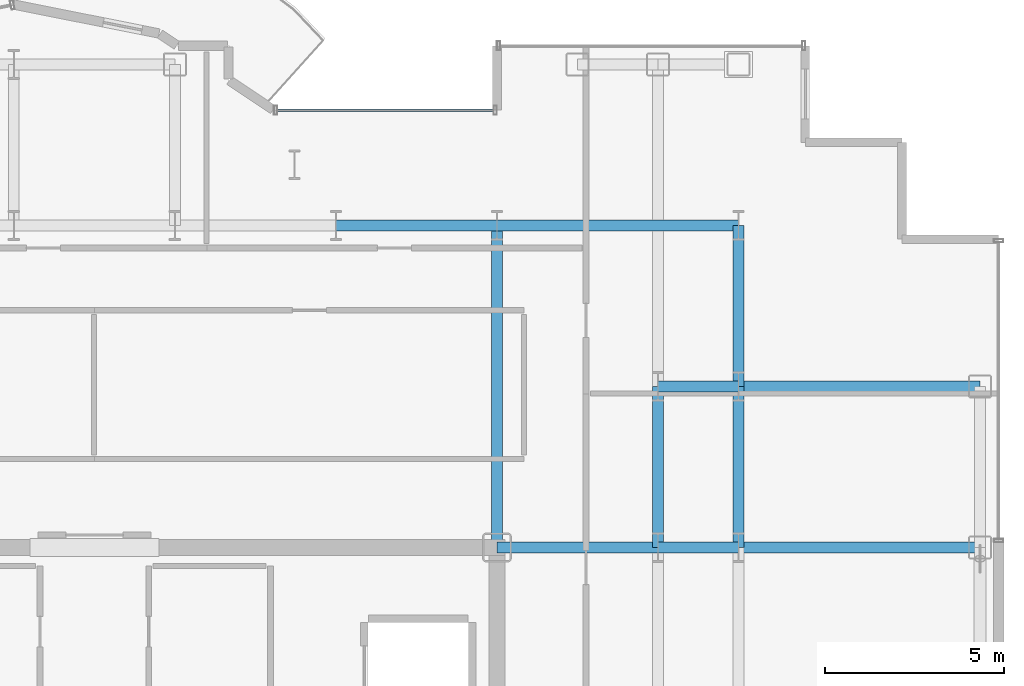
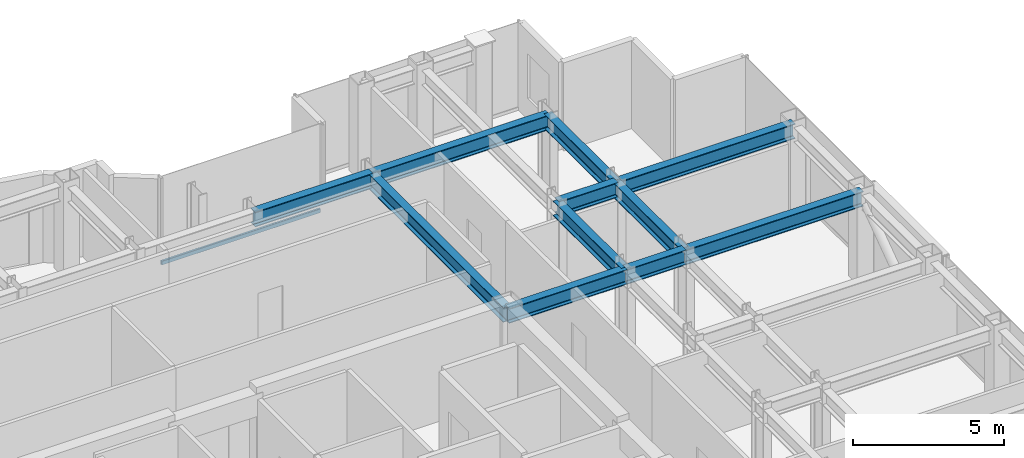
# One storey, part 12 of 22: 11 beams, 1 member, 1 element without a shape of its own.
"""IFC4 building model written with IfcOpenShell, lengths in metres."""

from ifc_helpers import new_model, si_unit, direction, frame, origin, origin_2d, place, context, subcontext, project, spatial, hollow_rectangle, i_section, extrude, source, transform, mapped, material, layer, layer_set, material_profile, profile_set, type_object, element, aggregate, save


model = new_model("IFC4")

# Units and contexts
model_context = context("Model", 3, precision=1e-05, world=origin(), true_north=direction((0.0, 1.0)))
body_context = subcontext(model_context, "Body", "Model", "MODEL_VIEW")
ifc_project = project(units=[si_unit("LENGTHUNIT", "METRE"), si_unit("AREAUNIT", "SQUARE_METRE"), si_unit("VOLUMEUNIT", "CUBIC_METRE"), si_unit("PLANEANGLEUNIT", "RADIAN"), si_unit("MASSUNIT", "GRAM", prefix="KILO")], contexts=[model_context])

# Site, building, storey
site_placement = place(None, origin())
site = spatial("IfcSite", under=ifc_project, at=site_placement, CompositionType="ELEMENT")
building_placement = place(site_placement, origin())
building = spatial("IfcBuilding", under=site, at=building_placement, Name="Nefas-Gora Pilgrimage Tower", CompositionType="ELEMENT")
storey_placement = place(building_placement, frame((0.0, 0.0, 218.0)))
storey = spatial("IfcBuildingStorey", under=building, at=storey_placement, Name="L54", CompositionType="ELEMENT", Elevation=218.0)

# Beams
ifc_material_1 = material(Name="Steel S355", Category="steel")
ifc_material_profile_1 = material_profile(ifc_material_1, i_section(OverallWidth=0.300048828125, OverallDepth=0.60009765625, WebThickness=0.015380859375, FlangeThickness=0.030029296875, FilletRadius=0.027099609375, at=origin_2d()), Name="HEB 600")
ifc_profile_set_1 = profile_set([ifc_material_profile_1], Name="Steel S355")
beam_type = type_object("IfcBeamType", Name="BM-GIR-HEB600", PredefinedType="BEAM", material=ifc_profile_set_1)
shared_shape_1 = source(origin(), body_context, "Body", "SweptSolid", [
    extrude(i_section(OverallWidth=0.300048828125, OverallDepth=0.60009765625, WebThickness=0.015380859375, FlangeThickness=0.030029296875, FilletRadius=0.027099609375, at=origin_2d()), origin(), (0.0, 0.0, 1.0), 9.0),
])
beam_placement = place(storey_placement, frame((11.25, 9.0, 3.25), z_axis=(0.0, 1.0, 0.0), x_axis=(-1.0, 0.0, 0.0)))
element("IfcBeam", 1, at=beam_placement, inside=storey, type_object=beam_type, Name="L54 G-04 beam", PredefinedType="BEAM", context=body_context, shape_type="MappedRepresentation", body=[
    mapped(shared_shape_1, transform((0.0, 0.0, 0.0), x_axis=(1.0, 0.0, 0.0), y_axis=(0.0, 1.0, 0.0), z_axis=(0.0, 0.0, 1.0), scale=1.0)),
])
shared_shape_2 = source(origin(), body_context, "Body", "SweptSolid", [
    extrude(i_section(OverallWidth=0.300048828125, OverallDepth=0.60009765625, WebThickness=0.015380859375, FlangeThickness=0.030029296875, FilletRadius=0.027099609375, at=origin_2d()), origin(), (0.0, 0.0, 1.0), 4.5),
])
for number, where, z_axis, x_axis, name in (
    (2, (6.75, 18.0, 3.25), (1.0, 0.0, 0.0), (0.0, 1.0, 0.0), "L54 G-04 beam"),
    (3, (11.25, 9.0, 3.25), (1.0, 0.0, 0.0), (0.0, 1.0, 0.0), "L54 G-04 beam"),
    (4, (15.75, 9.0, 3.25), (0.0, 1.0, 0.0), (-1.0, 0.0, 0.0), "L54 G-04 beam"),
    (5, (18.0, 9.0, 3.25), (0.0, 1.0, 0.0), (-1.0, 0.0, 0.0), "L54 G-04 beam"),
    (6, (18.0, 13.5, 3.25), (0.0, 1.0, 0.0), (-1.0, 0.0, 0.0), "L54 G-04 beam"),
):
    element("IfcBeam", number, at=place(storey_placement, frame(where, z_axis=z_axis, x_axis=x_axis)), inside=storey, type_object=beam_type, Name=name, PredefinedType="BEAM", context=body_context, shape_type="MappedRepresentation", body=[
        mapped(shared_shape_2, transform((0.0, 0.0, 0.0), x_axis=(1.0, 0.0, 0.0), y_axis=(0.0, 1.0, 0.0), z_axis=(0.0, 0.0, 1.0), scale=1.0)),
    ])
shared_shape_3 = source(origin(), body_context, "Body", "SweptSolid", [
    extrude(i_section(OverallWidth=0.300048828125, OverallDepth=0.60009765625, WebThickness=0.015380859375, FlangeThickness=0.030029296875, FilletRadius=0.027099609375, at=origin_2d()), origin(), (0.0, 0.0, 1.0), 6.75),
])
for number, where, z_axis, x_axis, name in (
    (7, (11.25, 18.0, 3.25), (1.0, 0.0, 0.0), (0.0, 1.0, 0.0), "L54 G-04 beam"),
    (8, (18.0, 9.0, 3.25), (1.0, 0.0, 0.0), (0.0, 1.0, 0.0), "L54 G-04 beam"),
    (9, (18.0, 13.5, 3.25), (1.0, 0.0, 0.0), (0.0, 1.0, 0.0), "L54 G-04 beam"),
):
    element("IfcBeam", number, at=place(storey_placement, frame(where, z_axis=z_axis, x_axis=x_axis)), inside=storey, type_object=beam_type, Name=name, PredefinedType="BEAM", context=body_context, shape_type="MappedRepresentation", body=[
        mapped(shared_shape_3, transform((0.0, 0.0, 0.0), x_axis=(1.0, 0.0, 0.0), y_axis=(0.0, 1.0, 0.0), z_axis=(0.0, 0.0, 1.0), scale=1.0)),
    ])
shared_shape_4 = source(origin(), body_context, "Body", "SweptSolid", [
    extrude(i_section(OverallWidth=0.300048828125, OverallDepth=0.60009765625, WebThickness=0.015380859375, FlangeThickness=0.030029296875, FilletRadius=0.027099609375, at=origin_2d()), origin(), (0.0, 0.0, 1.0), 2.25),
])
for number, where, z_axis, x_axis, name in (
    (10, (15.75, 9.0, 3.25), (1.0, 0.0, 0.0), (0.0, 1.0, 0.0), "L54 G-04 beam"),
    (11, (15.75, 13.5, 3.25), (1.0, 0.0, 0.0), (0.0, 1.0, 0.0), "L54 G-04 beam"),
):
    element("IfcBeam", number, at=place(storey_placement, frame(where, z_axis=z_axis, x_axis=x_axis)), inside=storey, type_object=beam_type, Name=name, PredefinedType="BEAM", context=body_context, shape_type="MappedRepresentation", body=[
        mapped(shared_shape_4, transform((0.0, 0.0, 0.0), x_axis=(1.0, 0.0, 0.0), y_axis=(0.0, 1.0, 0.0), z_axis=(0.0, 0.0, 1.0), scale=1.0)),
    ])

# Curtain wall, member
ifc_material_2 = material(Name="Dark ceramic-fritted solar-control aluminium-glass curtain wall", Category="aluminium")
ifc_layer = layer(ifc_material_2, 0.219970703125)
ifc_layer_set = layer_set([ifc_layer], Name="Dark ceramic-fritted solar-control aluminium-glass curtain wall")
curtain_wall_type = type_object("IfcCurtainWallType", Name="CW-SYS-5", PredefinedType="NOTDEFINED", material=ifc_layer_set)
curtain_wall_placement = place(storey_placement, origin())
curtain_wall = element("IfcCurtainWall", 12, at=curtain_wall_placement, inside=storey, type_object=curtain_wall_type, Name="L54 Unitised Curtain Wall CW5", PredefinedType="NOTDEFINED")
ifc_material_3 = material(Name="Anodised architectural aluminium", Category="aluminium")
ifc_material_profile_2 = material_profile(ifc_material_3, hollow_rectangle(XDim=0.080078125, YDim=0.159912109375, WallThickness=0.00439453125, InnerFilletRadius=0.00439453125, OuterFilletRadius=0.009033203125, at=origin_2d()), Name="ALU TRANSOM 80x160")
ifc_profile_set_2 = profile_set([ifc_material_profile_2], Name="Anodised architectural aluminium")
member_type = type_object("IfcMemberType", Name="CWM-TRN-5", PredefinedType="USERDEFINED", material=ifc_profile_set_2)
shared_shape_5 = source(origin(), body_context, "Body", "SweptSolid", [
    extrude(hollow_rectangle(XDim=0.080078125, YDim=0.159912109375, WallThickness=0.00439453125, InnerFilletRadius=0.00439453125, OuterFilletRadius=0.009033203125, at=origin_2d()), origin(), (0.0, 0.0, 1.0), 6.052001953125),
])
member_placement = place(storey_placement, frame((11.159912109375, 21.219970703125, 0.050048828125), z_axis=(-1.0, 0.0, 0.0), x_axis=(0.0, -1.0, 0.0)))
member = element("IfcMember", 13, at=member_placement, type_object=member_type, Name="CW5 Spandrel Transom", ObjectType="TRANSOM", PredefinedType="USERDEFINED", context=body_context, shape_type="MappedRepresentation", body=[
    mapped(shared_shape_5, transform((0.0, 0.0, 0.0), x_axis=(1.0, 0.0, 0.0), y_axis=(0.0, 1.0, 0.0), z_axis=(0.0, 0.0, 1.0), scale=1.0)),
])
aggregate(curtain_wall, [member])

save(model, "model.ifc")
